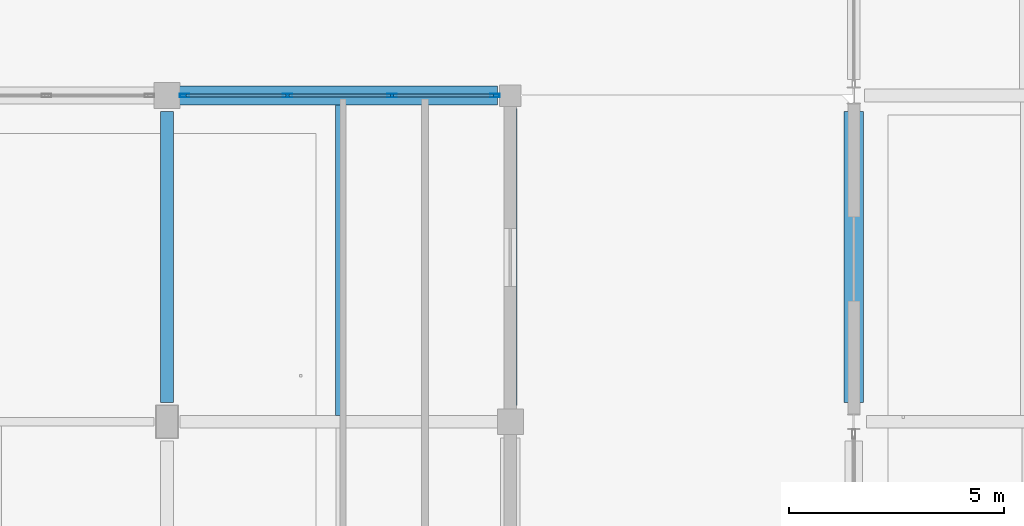
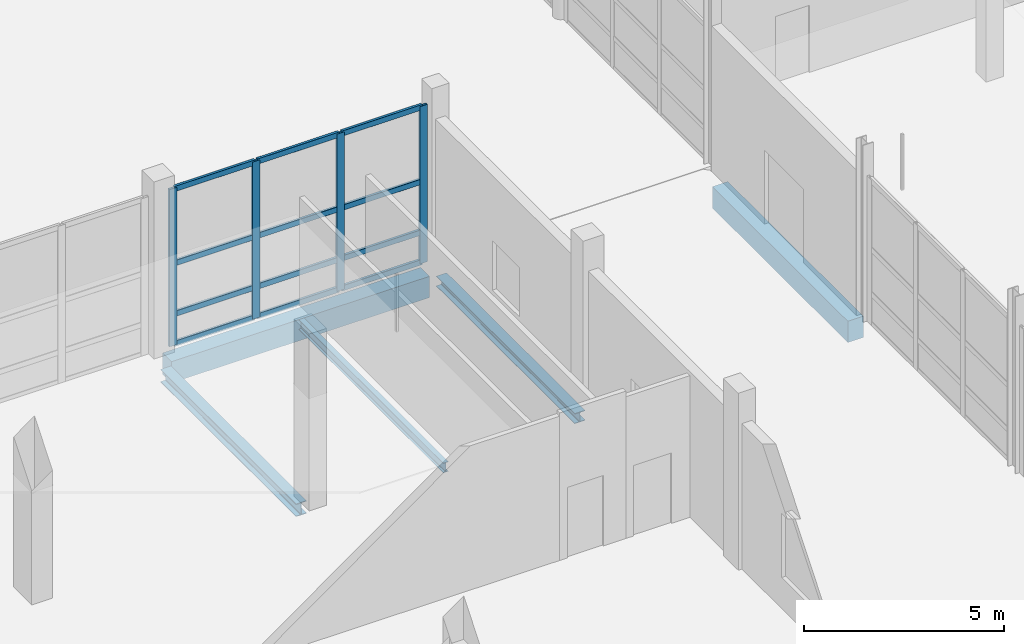
# One storey, part 32 of 126: 16 members, 5 beams, 1 element without a shape of its own.
"""IFC4 building model written with IfcOpenShell, lengths in metres."""

from ifc_helpers import new_model, si_unit, direction, frame, origin, origin_2d, place, context, subcontext, project, spatial, rectangle, hollow_rectangle, i_section, extrude, material, material_profile, profile_set, type_object, element, aggregate, save


model = new_model("IFC4")

# Units and contexts
model_context = context("Model", 3, precision=1e-05, world=origin(), true_north=direction((0.0, 1.0)))
body_context = subcontext(model_context, "Body", "Model", "MODEL_VIEW")
ifc_project = project(units=[si_unit("LENGTHUNIT", "METRE"), si_unit("AREAUNIT", "SQUARE_METRE"), si_unit("VOLUMEUNIT", "CUBIC_METRE"), si_unit("PLANEANGLEUNIT", "RADIAN"), si_unit("MASSUNIT", "GRAM", prefix="KILO")], contexts=[model_context])

# Site, building, storey
site_placement = place(None, origin())
site = spatial("IfcSite", under=ifc_project, at=site_placement, CompositionType="ELEMENT")
building_placement = place(site_placement, origin())
building = spatial("IfcBuilding", under=site, at=building_placement, Name="Khelvaren Railside Concert Hall", CompositionType="ELEMENT")
storey_placement = place(building_placement, origin())
storey = spatial("IfcBuildingStorey", under=building, at=storey_placement, Name="L00", CompositionType="ELEMENT", Elevation=0.0)

# Beam
ifc_material_1 = material(Name="Steel S355", Category="steel")
ifc_material_profile_1 = material_profile(ifc_material_1, i_section(OverallWidth=0.300048828125, OverallDepth=0.389892578125, WebThickness=0.010986328125, FlangeThickness=0.01904296875, FilletRadius=0.027099609375, at=origin_2d()), Name="HEA 400")
ifc_profile_set_1 = profile_set([ifc_material_profile_1], Name="Steel S355")
beam_type_1 = type_object("IfcBeamType", Name="BM23", PredefinedType="BEAM", material=ifc_profile_set_1)
beam_1_placement = place(storey_placement, frame((128.0, 15.64990234375, -0.514892578125), z_axis=(0.0, 1.0, 0.0), x_axis=(-1.0, 0.0, 0.0)))
element("IfcBeam", 1, at=beam_1_placement, inside=storey, type_object=beam_type_1, Name="V3 L00 Beam Y9.3", PredefinedType="BEAM", context=body_context, shape_type="SweptSolid", body=[
    extrude(i_section(OverallWidth=0.300048828125, OverallDepth=0.389892578125, WebThickness=0.010986328125, FlangeThickness=0.01904296875, FilletRadius=0.027099609375, at=origin_2d()), origin(), (0.0, 0.0, 1.0), 6.775146484375),
])

# Curtain wall, members
ifc_material_2 = material(Name="Triple-glazed solar-control glass", Category="glass")
curtain_wall_type = type_object("IfcCurtainWallType", Name="CW14", PredefinedType="USERDEFINED", material=ifc_material_2)
curtain_wall_placement = place(storey_placement, origin())
curtain_wall = element("IfcCurtainWall", 2, at=curtain_wall_placement, inside=storey, type_object=curtain_wall_type, Name="Unitised Curtain Wall CW-V3-L00-N-128", ObjectType="UNITISED CURTAIN WALL", PredefinedType="USERDEFINED")
ifc_material_3 = material(Name="Anodised architectural aluminium 6063-T6", Category="aluminium")
ifc_material_profile_2 = material_profile(ifc_material_3, hollow_rectangle(XDim=0.074951171875, YDim=0.219970703125, WallThickness=0.0048828125, InnerFilletRadius=0.0029296875, OuterFilletRadius=0.0048828125, at=origin_2d()), Name="CWM 75x220x5")
ifc_profile_set_2 = profile_set([ifc_material_profile_2], Name="Anodised architectural aluminium 6063-T6")
member_type_1 = type_object("IfcMemberType", Name="CWM13", PredefinedType="MULLION", material=ifc_profile_set_2)
member_1_placement = place(storey_placement, frame((128.409912109375, 22.800048828125, 0.0), z_axis=(0.0, 0.0, 1.0), x_axis=(0.0, 1.0, 0.0)))
member_1 = element("IfcMember", 3, at=member_1_placement, type_object=member_type_1, Name="CW14 mullion 1", PredefinedType="MULLION", context=body_context, shape_type="SweptSolid", body=[
    extrude(hollow_rectangle(XDim=0.074951171875, YDim=0.219970703125, WallThickness=0.0048828125, InnerFilletRadius=0.0029296875, OuterFilletRadius=0.0048828125, at=origin_2d()), origin(), (0.0, 0.0, 1.0), 4.800048828125),
])
member_2_placement = place(storey_placement, frame((130.8076171875, 22.800048828125, 0.0), z_axis=(0.0, 0.0, 1.0), x_axis=(0.0, 1.0, 0.0)))
member_2 = element("IfcMember", 4, at=member_2_placement, type_object=member_type_1, Name="CW14 mullion 2", PredefinedType="MULLION", context=body_context, shape_type="SweptSolid", body=[
    extrude(hollow_rectangle(XDim=0.074951171875, YDim=0.219970703125, WallThickness=0.0048828125, InnerFilletRadius=0.0029296875, OuterFilletRadius=0.0048828125, at=origin_2d()), origin(), (0.0, 0.0, 1.0), 4.800048828125),
])
member_3_placement = place(storey_placement, frame((133.242431640625, 22.800048828125, 0.0), z_axis=(0.0, 0.0, 1.0), x_axis=(0.0, 1.0, 0.0)))
member_3 = element("IfcMember", 5, at=member_3_placement, type_object=member_type_1, Name="CW14 mullion 3", PredefinedType="MULLION", context=body_context, shape_type="SweptSolid", body=[
    extrude(hollow_rectangle(XDim=0.074951171875, YDim=0.219970703125, WallThickness=0.0048828125, InnerFilletRadius=0.0029296875, OuterFilletRadius=0.0048828125, at=origin_2d()), origin(), (0.0, 0.0, 1.0), 4.800048828125),
])
member_4_placement = place(storey_placement, frame((135.639892578125, 22.800048828125, 0.0), z_axis=(0.0, 0.0, 1.0), x_axis=(0.0, 1.0, 0.0)))
member_4 = element("IfcMember", 6, at=member_4_placement, type_object=member_type_1, Name="CW14 mullion 4", PredefinedType="MULLION", context=body_context, shape_type="SweptSolid", body=[
    extrude(hollow_rectangle(XDim=0.074951171875, YDim=0.219970703125, WallThickness=0.0048828125, InnerFilletRadius=0.0029296875, OuterFilletRadius=0.0048828125, at=origin_2d()), origin(), (0.0, 0.0, 1.0), 4.800048828125),
])
ifc_material_profile_3 = material_profile(ifc_material_3, hollow_rectangle(XDim=0.074951171875, YDim=0.1650390625, WallThickness=0.00390625, InnerFilletRadius=0.001953125, OuterFilletRadius=0.00390625, at=origin_2d()), Name="CWT 75x165x4")
ifc_profile_set_3 = profile_set([ifc_material_profile_3], Name="Anodised architectural aluminium 6063-T6")
member_type_2 = type_object("IfcMemberType", Name="CWT46", PredefinedType="USERDEFINED", material=ifc_profile_set_3)
member_5_placement = place(storey_placement, frame((128.447509765625, 22.800048828125, 0.03759765625), z_axis=(1.0, 0.0, 0.0), x_axis=(0.0, 1.0, 0.0)))
member_5 = element("IfcMember", 7, at=member_5_placement, type_object=member_type_2, Name="CW14 transom 1.1", ObjectType="TRANSOM", PredefinedType="USERDEFINED", context=body_context, shape_type="SweptSolid", body=[
    extrude(hollow_rectangle(XDim=0.074951171875, YDim=0.1650390625, WallThickness=0.00390625, InnerFilletRadius=0.001953125, OuterFilletRadius=0.00390625, at=origin_2d()), origin(), (0.0, 0.0, 1.0), 2.322509765625),
])
member_6_placement = place(storey_placement, frame((128.447509765625, 22.800048828125, 0.949951171875), z_axis=(1.0, 0.0, 0.0), x_axis=(0.0, 1.0, 0.0)))
member_6 = element("IfcMember", 8, at=member_6_placement, type_object=member_type_2, Name="CW14 transom 1.2", ObjectType="TRANSOM", PredefinedType="USERDEFINED", context=body_context, shape_type="SweptSolid", body=[
    extrude(hollow_rectangle(XDim=0.074951171875, YDim=0.1650390625, WallThickness=0.00390625, InnerFilletRadius=0.001953125, OuterFilletRadius=0.00390625, at=origin_2d()), origin(), (0.0, 0.0, 1.0), 2.322509765625),
])
member_7_placement = place(storey_placement, frame((128.447509765625, 22.800048828125, 2.49609375), z_axis=(1.0, 0.0, 0.0), x_axis=(0.0, 1.0, 0.0)))
member_7 = element("IfcMember", 9, at=member_7_placement, type_object=member_type_2, Name="CW14 transom 1.3", ObjectType="TRANSOM", PredefinedType="USERDEFINED", context=body_context, shape_type="SweptSolid", body=[
    extrude(hollow_rectangle(XDim=0.074951171875, YDim=0.1650390625, WallThickness=0.00390625, InnerFilletRadius=0.001953125, OuterFilletRadius=0.00390625, at=origin_2d()), origin(), (0.0, 0.0, 1.0), 2.322509765625),
])
member_8_placement = place(storey_placement, frame((128.447509765625, 22.800048828125, 4.762451171875), z_axis=(1.0, 0.0, 0.0), x_axis=(0.0, 1.0, 0.0)))
member_8 = element("IfcMember", 10, at=member_8_placement, type_object=member_type_2, Name="CW14 transom 1.4", ObjectType="TRANSOM", PredefinedType="USERDEFINED", context=body_context, shape_type="SweptSolid", body=[
    extrude(hollow_rectangle(XDim=0.074951171875, YDim=0.1650390625, WallThickness=0.00390625, InnerFilletRadius=0.001953125, OuterFilletRadius=0.00390625, at=origin_2d()), origin(), (0.0, 0.0, 1.0), 2.322509765625),
])
member_9_placement = place(storey_placement, frame((130.844970703125, 22.800048828125, 0.03759765625), z_axis=(1.0, 0.0, 0.0), x_axis=(0.0, 1.0, 0.0)))
member_9 = element("IfcMember", 11, at=member_9_placement, type_object=member_type_2, Name="CW14 transom 2.1", ObjectType="TRANSOM", PredefinedType="USERDEFINED", context=body_context, shape_type="SweptSolid", body=[
    extrude(hollow_rectangle(XDim=0.074951171875, YDim=0.1650390625, WallThickness=0.00390625, InnerFilletRadius=0.001953125, OuterFilletRadius=0.00390625, at=origin_2d()), origin(), (0.0, 0.0, 1.0), 2.360107421875),
])
member_10_placement = place(storey_placement, frame((130.844970703125, 22.800048828125, 0.949951171875), z_axis=(1.0, 0.0, 0.0), x_axis=(0.0, 1.0, 0.0)))
member_10 = element("IfcMember", 12, at=member_10_placement, type_object=member_type_2, Name="CW14 transom 2.2", ObjectType="TRANSOM", PredefinedType="USERDEFINED", context=body_context, shape_type="SweptSolid", body=[
    extrude(hollow_rectangle(XDim=0.074951171875, YDim=0.1650390625, WallThickness=0.00390625, InnerFilletRadius=0.001953125, OuterFilletRadius=0.00390625, at=origin_2d()), origin(), (0.0, 0.0, 1.0), 2.360107421875),
])
member_11_placement = place(storey_placement, frame((130.844970703125, 22.800048828125, 2.49609375), z_axis=(1.0, 0.0, 0.0), x_axis=(0.0, 1.0, 0.0)))
member_11 = element("IfcMember", 13, at=member_11_placement, type_object=member_type_2, Name="CW14 transom 2.3", ObjectType="TRANSOM", PredefinedType="USERDEFINED", context=body_context, shape_type="SweptSolid", body=[
    extrude(hollow_rectangle(XDim=0.074951171875, YDim=0.1650390625, WallThickness=0.00390625, InnerFilletRadius=0.001953125, OuterFilletRadius=0.00390625, at=origin_2d()), origin(), (0.0, 0.0, 1.0), 2.360107421875),
])
member_12_placement = place(storey_placement, frame((130.844970703125, 22.800048828125, 4.762451171875), z_axis=(1.0, 0.0, 0.0), x_axis=(0.0, 1.0, 0.0)))
member_12 = element("IfcMember", 14, at=member_12_placement, type_object=member_type_2, Name="CW14 transom 2.4", ObjectType="TRANSOM", PredefinedType="USERDEFINED", context=body_context, shape_type="SweptSolid", body=[
    extrude(hollow_rectangle(XDim=0.074951171875, YDim=0.1650390625, WallThickness=0.00390625, InnerFilletRadius=0.001953125, OuterFilletRadius=0.00390625, at=origin_2d()), origin(), (0.0, 0.0, 1.0), 2.360107421875),
])
member_13_placement = place(storey_placement, frame((133.280029296875, 22.800048828125, 0.03759765625), z_axis=(1.0, 0.0, 0.0), x_axis=(0.0, 1.0, 0.0)))
member_13 = element("IfcMember", 15, at=member_13_placement, type_object=member_type_2, Name="CW14 transom 3.1", ObjectType="TRANSOM", PredefinedType="USERDEFINED", context=body_context, shape_type="SweptSolid", body=[
    extrude(hollow_rectangle(XDim=0.074951171875, YDim=0.1650390625, WallThickness=0.00390625, InnerFilletRadius=0.001953125, OuterFilletRadius=0.00390625, at=origin_2d()), origin(), (0.0, 0.0, 1.0), 2.322509765625),
])
member_14_placement = place(storey_placement, frame((133.280029296875, 22.800048828125, 0.949951171875), z_axis=(1.0, 0.0, 0.0), x_axis=(0.0, 1.0, 0.0)))
member_14 = element("IfcMember", 16, at=member_14_placement, type_object=member_type_2, Name="CW14 transom 3.2", ObjectType="TRANSOM", PredefinedType="USERDEFINED", context=body_context, shape_type="SweptSolid", body=[
    extrude(hollow_rectangle(XDim=0.074951171875, YDim=0.1650390625, WallThickness=0.00390625, InnerFilletRadius=0.001953125, OuterFilletRadius=0.00390625, at=origin_2d()), origin(), (0.0, 0.0, 1.0), 2.322509765625),
])
member_15_placement = place(storey_placement, frame((133.280029296875, 22.800048828125, 2.49609375), z_axis=(1.0, 0.0, 0.0), x_axis=(0.0, 1.0, 0.0)))
member_15 = element("IfcMember", 17, at=member_15_placement, type_object=member_type_2, Name="CW14 transom 3.3", ObjectType="TRANSOM", PredefinedType="USERDEFINED", context=body_context, shape_type="SweptSolid", body=[
    extrude(hollow_rectangle(XDim=0.074951171875, YDim=0.1650390625, WallThickness=0.00390625, InnerFilletRadius=0.001953125, OuterFilletRadius=0.00390625, at=origin_2d()), origin(), (0.0, 0.0, 1.0), 2.322509765625),
])
member_16_placement = place(storey_placement, frame((133.280029296875, 22.800048828125, 4.762451171875), z_axis=(1.0, 0.0, 0.0), x_axis=(0.0, 1.0, 0.0)))
member_16 = element("IfcMember", 18, at=member_16_placement, type_object=member_type_2, Name="CW14 transom 3.4", ObjectType="TRANSOM", PredefinedType="USERDEFINED", context=body_context, shape_type="SweptSolid", body=[
    extrude(hollow_rectangle(XDim=0.074951171875, YDim=0.1650390625, WallThickness=0.00390625, InnerFilletRadius=0.001953125, OuterFilletRadius=0.00390625, at=origin_2d()), origin(), (0.0, 0.0, 1.0), 2.322509765625),
])
aggregate(curtain_wall, [member_1, member_2, member_3, member_4, member_5, member_6, member_7, member_8, member_9, member_10, member_11, member_12, member_13, member_14, member_15, member_16])

# Beams
ifc_material_profile_4 = material_profile(ifc_material_1, i_section(OverallWidth=0.14990234375, OverallDepth=0.300048828125, WebThickness=0.007080078125, FlangeThickness=0.0107421875, FilletRadius=0.014892578125, at=origin_2d()), Name="IPE 300")
ifc_profile_set_4 = profile_set([ifc_material_profile_4], Name="Steel S355")
beam_type_2 = type_object("IfcBeamType", Name="JS26", PredefinedType="JOIST", material=ifc_profile_set_4)
beam_2_placement = place(storey_placement, frame((132.0, 15.35009765625, -0.469970703125), z_axis=(0.0, 1.0, 0.0), x_axis=(-1.0, 0.0, 0.0)))
element("IfcBeam", 19, at=beam_2_placement, inside=storey, type_object=beam_type_2, Name="V3 L00 Secondary Joist 9.3", PredefinedType="JOIST", context=body_context, shape_type="SweptSolid", body=[
    extrude(i_section(OverallWidth=0.14990234375, OverallDepth=0.300048828125, WebThickness=0.007080078125, FlangeThickness=0.0107421875, FilletRadius=0.014892578125, at=origin_2d()), origin(), (0.0, 0.0, 1.0), 7.224853515625),
])
ifc_material_4 = material(Name="Concrete C40/50", Category="concrete")
ifc_material_profile_5 = material_profile(ifc_material_4, rectangle(XDim=0.449951171875, YDim=0.64990234375, at=origin_2d()), Name="RCB 450x650")
ifc_profile_set_5 = profile_set([ifc_material_profile_5], Name="Concrete C40/50")
beam_type_3 = type_object("IfcBeamType", Name="SP34", PredefinedType="SPANDREL", material=ifc_profile_set_5)
beam_3_placement = place(storey_placement, frame((144.0, 15.64990234375, -0.64501953125), z_axis=(0.0, 1.0, 0.0), x_axis=(-1.0, 0.0, 0.0)))
element("IfcBeam", 20, at=beam_3_placement, inside=storey, type_object=beam_type_3, Name="V2 L00 Spandrel Y1.3", PredefinedType="SPANDREL", context=body_context, shape_type="SweptSolid", body=[
    extrude(rectangle(XDim=0.449951171875, YDim=0.64990234375, at=origin_2d()), origin(), (0.0, 0.0, 1.0), 6.775146484375),
])
beam_4_placement = place(storey_placement, frame((128.25, 22.800048828125, -0.64501953125), z_axis=(1.0, 0.0, 0.0), x_axis=(0.0, 1.0, 0.0)))
element("IfcBeam", 21, at=beam_4_placement, inside=storey, type_object=beam_type_3, Name="V3 L00 Spandrel X4.9", PredefinedType="SPANDREL", context=body_context, shape_type="SweptSolid", body=[
    extrude(rectangle(XDim=0.449951171875, YDim=0.64990234375, at=origin_2d()), origin(), (0.0, 0.0, 1.0), 7.449951171875),
])
ifc_material_profile_6 = material_profile(ifc_material_1, i_section(OverallWidth=0.300048828125, OverallDepth=0.31005859375, WebThickness=0.009033203125, FlangeThickness=0.015380859375, FilletRadius=0.027099609375, at=origin_2d()), Name="HEA 320")
ifc_profile_set_6 = profile_set([ifc_material_profile_6], Name="Steel S355")
beam_type_4 = type_object("IfcBeamType", Name="SP66", PredefinedType="SPANDREL", material=ifc_profile_set_6)
beam_5_placement = place(storey_placement, frame((136.0, 15.574951171875, -0.47509765625), z_axis=(0.0, 1.0, 0.0), x_axis=(-1.0, 0.0, 0.0)))
element("IfcBeam", 22, at=beam_5_placement, inside=storey, type_object=beam_type_4, Name="V3 L00 Spandrel Y10.3", PredefinedType="SPANDREL", context=body_context, shape_type="SweptSolid", body=[
    extrude(i_section(OverallWidth=0.300048828125, OverallDepth=0.31005859375, WebThickness=0.009033203125, FlangeThickness=0.015380859375, FilletRadius=0.027099609375, at=origin_2d()), origin(), (0.0, 0.0, 1.0), 6.925048828125),
])

save(model, "model.ifc")
